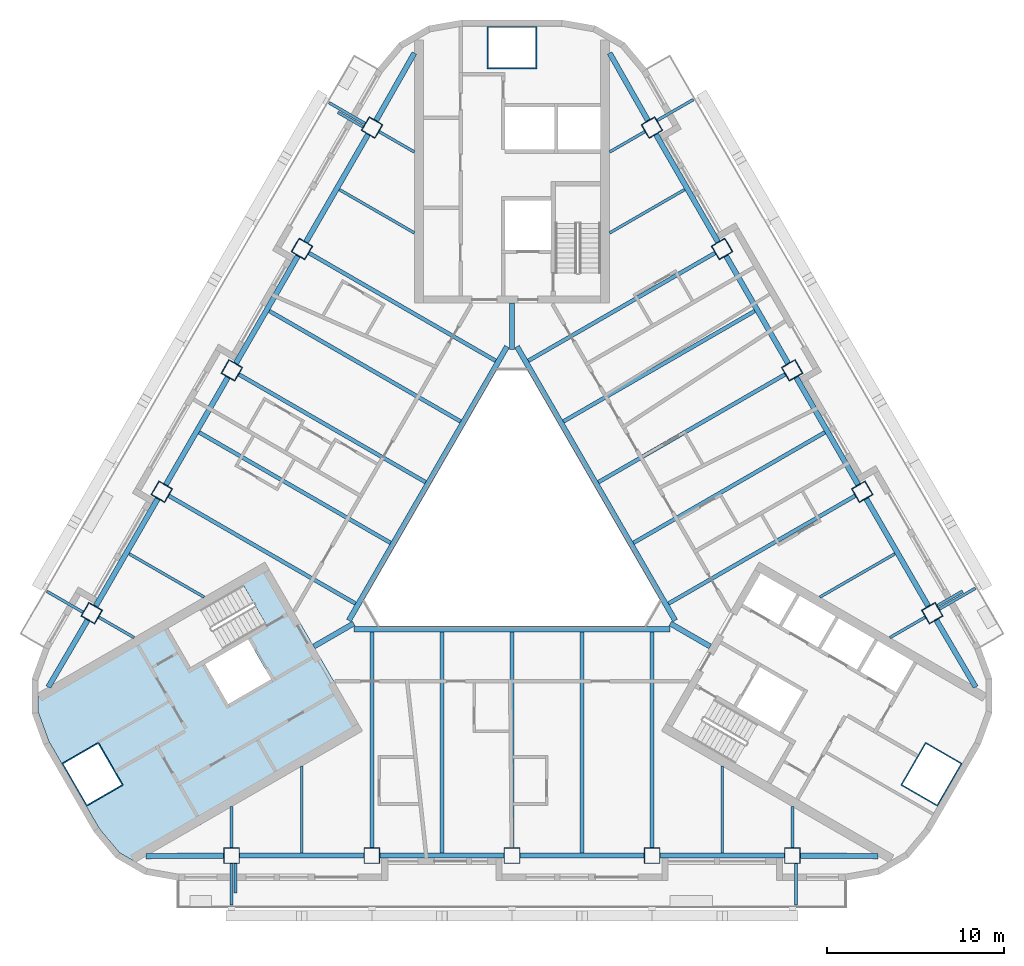
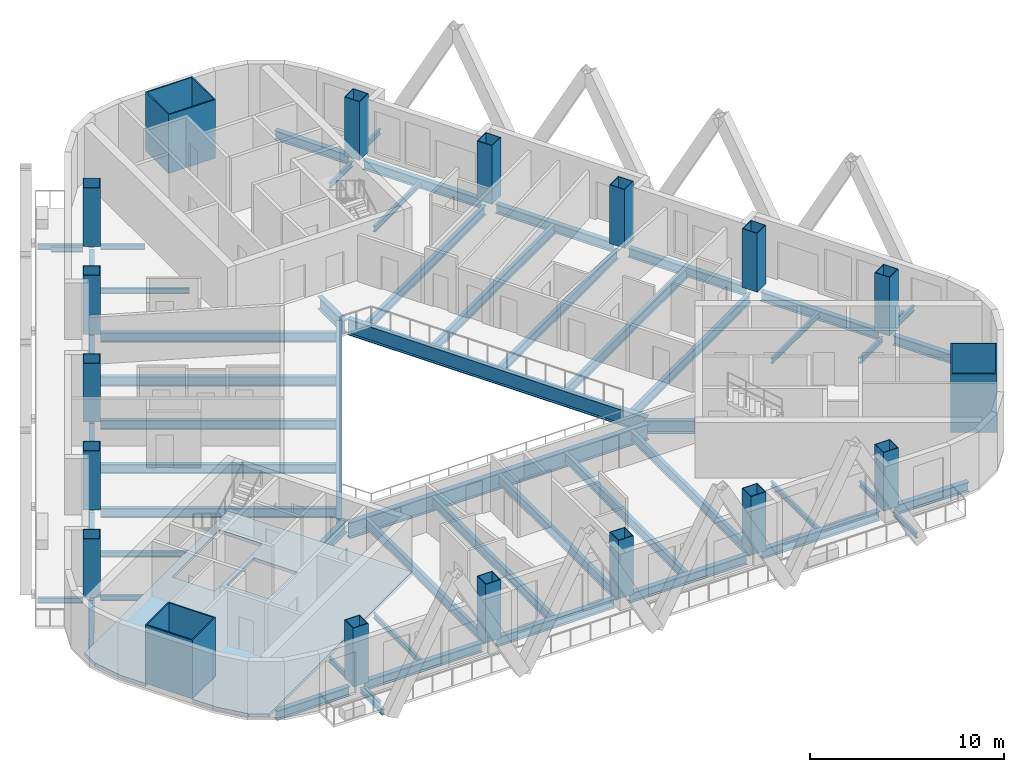
# One storey, part 1 of 14: 60 beams, 18 columns, 1 slab.
"""IFC4 building model written with IfcOpenShell, lengths in metres."""

from ifc_helpers import new_model, si_unit, direction, frame, origin, origin_2d, place, context, subcontext, project, spatial, polyline, rectangle, hollow_rectangle, i_section, outline, extrude, material, layer, layer_set, material_profile, profile_set, type_object, element, save


model = new_model("IFC4")

# Units and contexts
model_context = context("Model", 3, precision=1e-05, world=origin(), true_north=direction((0.0, 1.0)))
body_context = subcontext(model_context, "Body", "Model", "MODEL_VIEW")
ifc_project = project(units=[si_unit("LENGTHUNIT", "METRE"), si_unit("AREAUNIT", "SQUARE_METRE"), si_unit("VOLUMEUNIT", "CUBIC_METRE"), si_unit("PLANEANGLEUNIT", "RADIAN"), si_unit("MASSUNIT", "GRAM", prefix="KILO")], contexts=[model_context])

# Site, building, storey
site_placement = place(None, origin())
site = spatial("IfcSite", under=ifc_project, at=site_placement, CompositionType="ELEMENT")
building_placement = place(site_placement, origin())
building = spatial("IfcBuilding", under=site, at=building_placement, Name="Apuvela Tower Hotel", CompositionType="ELEMENT")
storey_placement = place(building_placement, frame((0.0, 0.0, 120.5)))
storey = spatial("IfcBuildingStorey", under=building, at=storey_placement, Name="L28", CompositionType="ELEMENT", Elevation=120.5)

# Columns
ifc_material_1 = material(Name="Steel S460", Category="steel")
ifc_material_profile_1 = material_profile(ifc_material_1, hollow_rectangle(XDim=2.800048828125, YDim=2.39990234375, WallThickness=0.070068359375, at=origin_2d()), Name="BOX 2800x2400x70")
ifc_material_2 = material(Name="Concrete C80/95", Category="concrete")
ifc_material_profile_2 = material_profile(ifc_material_2, rectangle(XDim=2.659912109375, YDim=2.260009765625, at=origin_2d()), Name="Concrete C80/95 infill")
ifc_profile_set_1 = profile_set([ifc_material_profile_1, ifc_material_profile_2], Name="Steel S460")
column_type_1 = type_object("IfcColumnType", Name="STR-MC mega column BOX 2800x2400x70", PredefinedType="COLUMN", material=ifc_profile_set_1)
for number, where, z_axis, x_axis, name in (
    (1, (0.0, 27.300048828125, 0.0), (0.0, 0.0, 1.0), (1.0, 0.0, 0.0), "Mega column MC2 N"),
    (2, (-23.642578125, -13.64990234375, 0.0), (0.0, 0.0, 1.0), (-0.5, 0.866025403784, 0.0), "Mega column MC2 SW"),
    (3, (23.642578125, -13.64990234375, 0.0), (0.0, 0.0, 1.0), (0.5, 0.866025403784, 0.0), "Mega column MC2 SE"),
):
    element("IfcColumn", number, at=place(storey_placement, frame(where, z_axis=z_axis, x_axis=x_axis)), inside=storey, type_object=column_type_1, Name=name, PredefinedType="COLUMN", context=body_context, shape_type="SweptSolid", body=[
        extrude(hollow_rectangle(XDim=2.800048828125, YDim=2.39990234375, WallThickness=0.070068359375, at=origin_2d()), origin(), (0.0, 0.0, 1.0), 3.699951171875),
    ])
ifc_material_profile_3 = material_profile(ifc_material_1, hollow_rectangle(XDim=0.89990234375, YDim=0.89990234375, WallThickness=0.0400390625, at=origin_2d()), Name="BOX 900x900x40")
ifc_material_profile_4 = material_profile(ifc_material_2, rectangle(XDim=0.820068359375, YDim=0.820068359375, at=origin_2d()), Name="Concrete C80/95 infill")
ifc_profile_set_2 = profile_set([ifc_material_profile_3, ifc_material_profile_4], Name="Steel S460")
column_type_2 = type_object("IfcColumnType", Name="STR-PC perimeter column BOX 900x900x40", PredefinedType="COLUMN", material=ifc_profile_set_2)
for number, where, z_axis, x_axis, name in (
    (4, (-15.800048828125, -18.22998046875, 0.0), (0.0, 0.0, 1.0), (-1.0, 0.0, 0.0), "Perimeter column C3 S1"),
    (5, (-7.89990234375, -18.22998046875, 0.0), (0.0, 0.0, 1.0), (-1.0, 0.0, 0.0), "Perimeter column C3 S2"),
    (6, (0.0, -18.22998046875, 0.0), (0.0, 0.0, 1.0), (-1.0, 0.0, 0.0), "Perimeter column C3 S3"),
    (7, (7.89990234375, -18.22998046875, 0.0), (0.0, 0.0, 1.0), (-1.0, 0.0, 0.0), "Perimeter column C3 S4"),
    (8, (15.800048828125, -18.22998046875, 0.0), (0.0, 0.0, 1.0), (-1.0, 0.0, 0.0), "Perimeter column C3 S5"),
    (9, (23.6875, -4.568115234375, 0.0), (0.0, 0.0, 1.0), (-0.5, 0.866025403784, 0.0), "Perimeter column C3 NE1"),
    (10, (19.737548828125, 2.2734375, 0.0), (0.0, 0.0, 1.0), (-0.5, 0.866025403784, 0.0), "Perimeter column C3 NE2"),
    (11, (15.78759765625, 9.114990234375, 0.0), (0.0, 0.0, 1.0), (-0.5, 0.866025403784, 0.0), "Perimeter column C3 NE3"),
    (12, (11.837646484375, 15.95654296875, 0.0), (0.0, 0.0, 1.0), (-0.5, 0.866025403784, 0.0), "Perimeter column C3 NE4"),
    (13, (7.8876953125, 22.798095703125, 0.0), (0.0, 0.0, 1.0), (-0.5, 0.866025403784, 0.0), "Perimeter column C3 NE5"),
    (14, (-7.8876953125, 22.798095703125, 0.0), (0.0, 0.0, 1.0), (0.5, 0.866025403784, 0.0), "Perimeter column C3 NW1"),
    (15, (-11.837646484375, 15.95654296875, 0.0), (0.0, 0.0, 1.0), (0.5, 0.866025403784, 0.0), "Perimeter column C3 NW2"),
    (16, (-15.78759765625, 9.114990234375, 0.0), (0.0, 0.0, 1.0), (0.5, 0.866025403784, 0.0), "Perimeter column C3 NW3"),
    (17, (-19.737548828125, 2.2734375, 0.0), (0.0, 0.0, 1.0), (0.5, 0.866025403784, 0.0), "Perimeter column C3 NW4"),
    (18, (-23.6875, -4.568115234375, 0.0), (0.0, 0.0, 1.0), (0.5, 0.866025403784, 0.0), "Perimeter column C3 NW5"),
):
    element("IfcColumn", number, at=place(storey_placement, frame(where, z_axis=z_axis, x_axis=x_axis)), inside=storey, type_object=column_type_2, Name=name, PredefinedType="COLUMN", context=body_context, shape_type="SweptSolid", body=[
        extrude(hollow_rectangle(XDim=0.89990234375, YDim=0.89990234375, WallThickness=0.0400390625, at=origin_2d()), origin(), (0.0, 0.0, 1.0), 3.699951171875),
    ])

# Beams
ifc_material_3 = material(Name="Steel S355", Category="steel")
ifc_material_profile_5 = material_profile(ifc_material_3, i_section(OverallWidth=0.159912109375, OverallDepth=0.330078125, WebThickness=0.007568359375, FlangeThickness=0.011474609375, at=origin_2d()), Name="IPE 330")
ifc_profile_set_3 = profile_set([ifc_material_profile_5], Name="Steel S355")
beam_type_1 = type_object("IfcBeamType", Name="ENV-BALCONY-BEAM-IPE330", PredefinedType="BEAM", material=ifc_profile_set_3)
beam_1_placement = place(storey_placement, frame((-15.800048828125, -18.679931640625, -0.31494140625), z_axis=(0.0, -1.0, 0.0), x_axis=(1.0, 0.0, 0.0)))
element("IfcBeam", 19, at=beam_1_placement, inside=storey, type_object=beam_type_1, Name="Balcony cantilever beam S1 L28", PredefinedType="BEAM", context=body_context, shape_type="SweptSolid", body=[
    extrude(i_section(OverallWidth=0.159912109375, OverallDepth=0.330078125, WebThickness=0.007568359375, FlangeThickness=0.011474609375, at=origin_2d()), origin(), (0.0, 0.0, 1.0), 2.35009765625),
])
beam_2_placement = place(storey_placement, frame((-15.580078125, -18.679931640625, -0.31494140625), z_axis=(0.0, -1.0, 0.0), x_axis=(1.0, 0.0, 0.0)))
element("IfcBeam", 20, at=beam_2_placement, inside=storey, type_object=beam_type_1, Name="Balcony cantilever beam S2 L28", PredefinedType="BEAM", context=body_context, shape_type="SweptSolid", body=[
    extrude(i_section(OverallWidth=0.159912109375, OverallDepth=0.330078125, WebThickness=0.007568359375, FlangeThickness=0.011474609375, at=origin_2d()), origin(), (0.0, 0.0, 1.0), 1.650146484375),
])
for number, where, z_axis, x_axis, name in (
    (21, (16.0, -18.679931640625, -0.31494140625), (0.0, -1.0, 0.0), (1.0, 0.0, 0.0), "Balcony cantilever beam S3 L28"),
    (22, (24.077392578125, -4.34326171875, -0.31494140625), (0.866016039709, 0.500016218704, 0.0), (-0.500016218704, 0.866016039709, 0.0), "Balcony cantilever beam NE1 L28"),
):
    element("IfcBeam", number, at=place(storey_placement, frame(where, z_axis=z_axis, x_axis=x_axis)), inside=storey, type_object=beam_type_1, Name=name, PredefinedType="BEAM", context=body_context, shape_type="SweptSolid", body=[
        extrude(i_section(OverallWidth=0.159912109375, OverallDepth=0.330078125, WebThickness=0.007568359375, FlangeThickness=0.011474609375, at=origin_2d()), origin(), (0.0, 0.0, 1.0), 2.35009765625),
    ])
beam_3_placement = place(storey_placement, frame((23.96728515625, -4.152587890625, -0.31494140625), z_axis=(0.866040211805, 0.499974350878, 0.0), x_axis=(-0.499974350878, 0.866040211805, 0.0)))
element("IfcBeam", 23, at=beam_3_placement, inside=storey, type_object=beam_type_1, Name="Balcony cantilever beam NE2 L28", PredefinedType="BEAM", context=body_context, shape_type="SweptSolid", body=[
    extrude(i_section(OverallWidth=0.159912109375, OverallDepth=0.330078125, WebThickness=0.007568359375, FlangeThickness=0.011474609375, at=origin_2d()), origin(), (0.0, 0.0, 1.0), 1.64990234375),
])
beam_4_placement = place(storey_placement, frame((8.177490234375, 23.1962890625, -0.31494140625), z_axis=(0.865990062348, 0.500061208168, 0.0), x_axis=(-0.500061208168, 0.865990062348, 0.0)))
element("IfcBeam", 24, at=beam_4_placement, inside=storey, type_object=beam_type_1, Name="Balcony cantilever beam NE3 L28", PredefinedType="BEAM", context=body_context, shape_type="SweptSolid", body=[
    extrude(i_section(OverallWidth=0.159912109375, OverallDepth=0.330078125, WebThickness=0.007568359375, FlangeThickness=0.011474609375, at=origin_2d()), origin(), (0.0, 0.0, 1.0), 2.349853515625),
])
beam_5_placement = place(storey_placement, frame((-8.27734375, 23.023193359375, -0.31494140625), z_axis=(-0.866016039709, 0.500016218704, 0.0), x_axis=(-0.500016218704, -0.866016039709, 0.0)))
element("IfcBeam", 25, at=beam_5_placement, inside=storey, type_object=beam_type_1, Name="Balcony cantilever beam NW1 L28", PredefinedType="BEAM", context=body_context, shape_type="SweptSolid", body=[
    extrude(i_section(OverallWidth=0.159912109375, OverallDepth=0.330078125, WebThickness=0.007568359375, FlangeThickness=0.011474609375, at=origin_2d()), origin(), (0.0, 0.0, 1.0), 2.35009765625),
])
beam_6_placement = place(storey_placement, frame((-8.387451171875, 22.832763671875, -0.31494140625), z_axis=(-0.866040211805, 0.499974350878, 0.0), x_axis=(-0.499974350878, -0.866040211805, 0.0)))
element("IfcBeam", 26, at=beam_6_placement, inside=storey, type_object=beam_type_1, Name="Balcony cantilever beam NW2 L28", PredefinedType="BEAM", context=body_context, shape_type="SweptSolid", body=[
    extrude(i_section(OverallWidth=0.159912109375, OverallDepth=0.330078125, WebThickness=0.007568359375, FlangeThickness=0.011474609375, at=origin_2d()), origin(), (0.0, 0.0, 1.0), 1.64990234375),
])
beam_7_placement = place(storey_placement, frame((-24.177490234375, -4.516357421875, -0.31494140625), z_axis=(-0.865990062348, 0.500061208168, 0.0), x_axis=(-0.500061208168, -0.865990062348, 0.0)))
element("IfcBeam", 27, at=beam_7_placement, inside=storey, type_object=beam_type_1, Name="Balcony cantilever beam NW3 L28", PredefinedType="BEAM", context=body_context, shape_type="SweptSolid", body=[
    extrude(i_section(OverallWidth=0.159912109375, OverallDepth=0.330078125, WebThickness=0.007568359375, FlangeThickness=0.011474609375, at=origin_2d()), origin(), (0.0, 0.0, 1.0), 2.349853515625),
])
ifc_material_profile_6 = material_profile(ifc_material_3, i_section(OverallWidth=0.159912109375, OverallDepth=0.330078125, WebThickness=0.007568359375, FlangeThickness=0.011474609375, at=origin_2d()), Name="IPE 330")
ifc_profile_set_4 = profile_set([ifc_material_profile_6], Name="Steel S355")
beam_type_2 = type_object("IfcBeamType", Name="STR-B floor beam IPE 330", PredefinedType="BEAM", material=ifc_profile_set_4)
beam_8_placement = place(storey_placement, frame((23.2978515625, -4.793212890625, -0.31494140625), z_axis=(-0.866000531106, -0.500043078269, 0.0), x_axis=(0.500043078269, -0.866000531106, 0.0)))
element("IfcBeam", 28, at=beam_8_placement, inside=storey, type_object=beam_type_2, Name="Floor beam B1 NE1", PredefinedType="BEAM", context=body_context, shape_type="SweptSolid", body=[
    extrude(i_section(OverallWidth=0.159912109375, OverallDepth=0.330078125, WebThickness=0.007568359375, FlangeThickness=0.011474609375, at=origin_2d()), origin(), (0.0, 0.0, 1.0), 2.306884765625),
])
for number, where, z_axis, x_axis, name in (
    (29, (21.582763671875, -1.222412109375, -0.31494140625), (-0.866015056278, -0.500017921979, 0.0), (0.500017921979, -0.866015056278, 0.0), "Floor beam B1 NE2"),
    (30, (9.732666015625, 19.302490234375, -0.31494140625), (-0.866015056278, -0.500017921979, 0.0), (0.500017921979, -0.866015056278, 0.0), "Floor beam B1 NE8"),
):
    element("IfcBeam", number, at=place(storey_placement, frame(where, z_axis=z_axis, x_axis=x_axis)), inside=storey, type_object=beam_type_2, Name=name, PredefinedType="BEAM", context=body_context, shape_type="SweptSolid", body=[
        extrude(i_section(OverallWidth=0.159912109375, OverallDepth=0.330078125, WebThickness=0.007568359375, FlangeThickness=0.011474609375, at=origin_2d()), origin(), (0.0, 0.0, 1.0), 4.887451171875),
    ])
for number, where, z_axis, x_axis, name in (
    (31, (7.497802734375, 22.5732421875, -0.31494140625), (-0.866000531106, -0.500043078269, 0.0), (0.500043078269, -0.866000531106, 0.0), "Floor beam B1 NE9"),
    (32, (-7.497802734375, 22.5732421875, -0.31494140625), (0.866000531106, -0.500043078269, 0.0), (0.500043078269, 0.866000531106, 0.0), "Floor beam B1 NW1"),
):
    element("IfcBeam", number, at=place(storey_placement, frame(where, z_axis=z_axis, x_axis=x_axis)), inside=storey, type_object=beam_type_2, Name=name, PredefinedType="BEAM", context=body_context, shape_type="SweptSolid", body=[
        extrude(i_section(OverallWidth=0.159912109375, OverallDepth=0.330078125, WebThickness=0.007568359375, FlangeThickness=0.011474609375, at=origin_2d()), origin(), (0.0, 0.0, 1.0), 2.306884765625),
    ])
for number, where, z_axis, x_axis, name in (
    (33, (-9.732666015625, 19.302490234375, -0.31494140625), (0.866015056278, -0.500017921979, 0.0), (0.500017921979, 0.866015056278, 0.0), "Floor beam B1 NW2"),
    (34, (-21.582763671875, -1.222412109375, -0.31494140625), (0.866015056278, -0.500017921979, 0.0), (0.500017921979, 0.866015056278, 0.0), "Floor beam B1 NW8"),
):
    element("IfcBeam", number, at=place(storey_placement, frame(where, z_axis=z_axis, x_axis=x_axis)), inside=storey, type_object=beam_type_2, Name=name, PredefinedType="BEAM", context=body_context, shape_type="SweptSolid", body=[
        extrude(i_section(OverallWidth=0.159912109375, OverallDepth=0.330078125, WebThickness=0.007568359375, FlangeThickness=0.011474609375, at=origin_2d()), origin(), (0.0, 0.0, 1.0), 4.887451171875),
    ])
beam_9_placement = place(storey_placement, frame((-23.2978515625, -4.793212890625, -0.31494140625), z_axis=(0.866000531106, -0.500043078269, 0.0), x_axis=(0.500043078269, 0.866000531106, 0.0)))
element("IfcBeam", 35, at=beam_9_placement, inside=storey, type_object=beam_type_2, Name="Floor beam B1 NW9", PredefinedType="BEAM", context=body_context, shape_type="SweptSolid", body=[
    extrude(i_section(OverallWidth=0.159912109375, OverallDepth=0.330078125, WebThickness=0.007568359375, FlangeThickness=0.011474609375, at=origin_2d()), origin(), (0.0, 0.0, 1.0), 2.306884765625),
])
beam_10_placement = place(storey_placement, frame((-15.800048828125, -17.780029296875, -0.31494140625), z_axis=(0.0, 1.0, 0.0), x_axis=(-1.0, 0.0, 0.0)))
element("IfcBeam", 36, at=beam_10_placement, inside=storey, type_object=beam_type_2, Name="Floor beam B1 S1", PredefinedType="BEAM", context=body_context, shape_type="SweptSolid", body=[
    extrude(i_section(OverallWidth=0.159912109375, OverallDepth=0.330078125, WebThickness=0.007568359375, FlangeThickness=0.011474609375, at=origin_2d()), origin(), (0.0, 0.0, 1.0), 2.30712890625),
])
for number, where, z_axis, x_axis, name in (
    (37, (-11.85009765625, -18.080078125, -0.31494140625), (0.0, 1.0, 0.0), (-1.0, 0.0, 0.0), "Floor beam B1 S2"),
    (38, (11.85009765625, -18.080078125, -0.31494140625), (0.0, 1.0, 0.0), (-1.0, 0.0, 0.0), "Floor beam B1 S8"),
):
    element("IfcBeam", number, at=place(storey_placement, frame(where, z_axis=z_axis, x_axis=x_axis)), inside=storey, type_object=beam_type_2, Name=name, PredefinedType="BEAM", context=body_context, shape_type="SweptSolid", body=[
        extrude(i_section(OverallWidth=0.159912109375, OverallDepth=0.330078125, WebThickness=0.007568359375, FlangeThickness=0.011474609375, at=origin_2d()), origin(), (0.0, 0.0, 1.0), 4.8876953125),
    ])
beam_11_placement = place(storey_placement, frame((15.800048828125, -17.780029296875, -0.31494140625), z_axis=(0.0, 1.0, 0.0), x_axis=(-1.0, 0.0, 0.0)))
element("IfcBeam", 39, at=beam_11_placement, inside=storey, type_object=beam_type_2, Name="Floor beam B1 S9", PredefinedType="BEAM", context=body_context, shape_type="SweptSolid", body=[
    extrude(i_section(OverallWidth=0.159912109375, OverallDepth=0.330078125, WebThickness=0.007568359375, FlangeThickness=0.011474609375, at=origin_2d()), origin(), (0.0, 0.0, 1.0), 2.30712890625),
])
ifc_material_profile_7 = material_profile(ifc_material_3, i_section(OverallWidth=0.219970703125, OverallDepth=0.60009765625, WebThickness=0.011962890625, FlangeThickness=0.01904296875, at=origin_2d()), Name="IPE 600")
ifc_profile_set_5 = profile_set([ifc_material_profile_7], Name="Steel S355")
beam_type_3 = type_object("IfcBeamType", Name="STR-B floor beam IPE 600", PredefinedType="BEAM", material=ifc_profile_set_5)
beam_12_placement = place(storey_placement, frame((19.347900390625, 2.04833984375, -0.449951171875), z_axis=(-0.866028751965, -0.499994200737, 0.0), x_axis=(0.499994200737, -0.866028751965, 0.0)))
element("IfcBeam", 40, at=beam_12_placement, inside=storey, type_object=beam_type_3, Name="Floor beam B8 NE3", PredefinedType="BEAM", context=body_context, shape_type="SweptSolid", body=[
    extrude(i_section(OverallWidth=0.219970703125, OverallDepth=0.60009765625, WebThickness=0.011962890625, FlangeThickness=0.01904296875, at=origin_2d()), origin(), (0.0, 0.0, 1.0), 12.157958984375),
])
beam_13_placement = place(storey_placement, frame((17.6328125, 5.619140625, -0.449951171875), z_axis=(-0.866027636335, -0.499996133089, 0.0), x_axis=(0.499996133089, -0.866027636335, 0.0)))
element("IfcBeam", 41, at=beam_13_placement, inside=storey, type_object=beam_type_3, Name="Floor beam B8 NE4", PredefinedType="BEAM", context=body_context, shape_type="SweptSolid", body=[
    extrude(i_section(OverallWidth=0.219970703125, OverallDepth=0.60009765625, WebThickness=0.011962890625, FlangeThickness=0.01904296875, at=origin_2d()), origin(), (0.0, 0.0, 1.0), 12.4580078125),
])
beam_14_placement = place(storey_placement, frame((15.39794921875, 8.889892578125, -0.449951171875), z_axis=(-0.866028751965, -0.499994200737, 0.0), x_axis=(0.499994200737, -0.866028751965, 0.0)))
element("IfcBeam", 42, at=beam_14_placement, inside=storey, type_object=beam_type_3, Name="Floor beam B8 NE5", PredefinedType="BEAM", context=body_context, shape_type="SweptSolid", body=[
    extrude(i_section(OverallWidth=0.219970703125, OverallDepth=0.60009765625, WebThickness=0.011962890625, FlangeThickness=0.01904296875, at=origin_2d()), origin(), (0.0, 0.0, 1.0), 12.157958984375),
])
beam_15_placement = place(storey_placement, frame((13.6826171875, 12.460693359375, -0.449951171875), z_axis=(-0.866022737053, -0.500004618886, 0.0), x_axis=(0.500004618886, -0.866022737053, 0.0)))
element("IfcBeam", 43, at=beam_15_placement, inside=storey, type_object=beam_type_3, Name="Floor beam B8 NE6", PredefinedType="BEAM", context=body_context, shape_type="SweptSolid", body=[
    extrude(i_section(OverallWidth=0.219970703125, OverallDepth=0.60009765625, WebThickness=0.011962890625, FlangeThickness=0.01904296875, at=origin_2d()), origin(), (0.0, 0.0, 1.0), 12.4580078125),
])
for number, where, z_axis, x_axis, name in (
    (44, (11.447998046875, 15.731689453125, -0.449951171875), (-0.866025076934, -0.500000566121, 0.0), (0.500000566121, -0.866025076934, 0.0), "Floor beam B8 NE7"),
    (45, (-11.447998046875, 15.731689453125, -0.449951171875), (0.866025076934, -0.500000566121, 0.0), (0.500000566121, 0.866025076934, 0.0), "Floor beam B8 NW3"),
):
    element("IfcBeam", number, at=place(storey_placement, frame(where, z_axis=z_axis, x_axis=x_axis)), inside=storey, type_object=beam_type_3, Name=name, PredefinedType="BEAM", context=body_context, shape_type="SweptSolid", body=[
        extrude(i_section(OverallWidth=0.219970703125, OverallDepth=0.60009765625, WebThickness=0.011962890625, FlangeThickness=0.01904296875, at=origin_2d()), origin(), (0.0, 0.0, 1.0), 12.158203125),
    ])
beam_16_placement = place(storey_placement, frame((-13.6826171875, 12.460693359375, -0.449951171875), z_axis=(0.866022737053, -0.500004618886, 0.0), x_axis=(0.500004618886, 0.866022737053, 0.0)))
element("IfcBeam", 46, at=beam_16_placement, inside=storey, type_object=beam_type_3, Name="Floor beam B8 NW4", PredefinedType="BEAM", context=body_context, shape_type="SweptSolid", body=[
    extrude(i_section(OverallWidth=0.219970703125, OverallDepth=0.60009765625, WebThickness=0.011962890625, FlangeThickness=0.01904296875, at=origin_2d()), origin(), (0.0, 0.0, 1.0), 12.4580078125),
])
beam_17_placement = place(storey_placement, frame((-15.39794921875, 8.889892578125, -0.449951171875), z_axis=(0.866028751965, -0.499994200737, 0.0), x_axis=(0.499994200737, 0.866028751965, 0.0)))
element("IfcBeam", 47, at=beam_17_placement, inside=storey, type_object=beam_type_3, Name="Floor beam B8 NW5", PredefinedType="BEAM", context=body_context, shape_type="SweptSolid", body=[
    extrude(i_section(OverallWidth=0.219970703125, OverallDepth=0.60009765625, WebThickness=0.011962890625, FlangeThickness=0.01904296875, at=origin_2d()), origin(), (0.0, 0.0, 1.0), 12.157958984375),
])
beam_18_placement = place(storey_placement, frame((-17.6328125, 5.619140625, -0.449951171875), z_axis=(0.866027636335, -0.499996133089, 0.0), x_axis=(0.499996133089, 0.866027636335, 0.0)))
element("IfcBeam", 48, at=beam_18_placement, inside=storey, type_object=beam_type_3, Name="Floor beam B8 NW6", PredefinedType="BEAM", context=body_context, shape_type="SweptSolid", body=[
    extrude(i_section(OverallWidth=0.219970703125, OverallDepth=0.60009765625, WebThickness=0.011962890625, FlangeThickness=0.01904296875, at=origin_2d()), origin(), (0.0, 0.0, 1.0), 12.4580078125),
])
for number, where, z_axis, x_axis, name in (
    (49, (-19.347900390625, 2.04833984375, -0.449951171875), (0.866028751965, -0.499994200737, 0.0), (0.499994200737, 0.866028751965, 0.0), "Floor beam B8 NW7"),
    (50, (-7.89990234375, -17.780029296875, -0.449951171875), (0.0, 1.0, 0.0), (-1.0, 0.0, 0.0), "Floor beam B8 S3"),
):
    element("IfcBeam", number, at=place(storey_placement, frame(where, z_axis=z_axis, x_axis=x_axis)), inside=storey, type_object=beam_type_3, Name=name, PredefinedType="BEAM", context=body_context, shape_type="SweptSolid", body=[
        extrude(i_section(OverallWidth=0.219970703125, OverallDepth=0.60009765625, WebThickness=0.011962890625, FlangeThickness=0.01904296875, at=origin_2d()), origin(), (0.0, 0.0, 1.0), 12.157958984375),
    ])
beam_19_placement = place(storey_placement, frame((-3.949951171875, -18.080078125, -0.449951171875), z_axis=(0.0, 1.0, 0.0), x_axis=(-1.0, 0.0, 0.0)))
element("IfcBeam", 51, at=beam_19_placement, inside=storey, type_object=beam_type_3, Name="Floor beam B8 S4", PredefinedType="BEAM", context=body_context, shape_type="SweptSolid", body=[
    extrude(i_section(OverallWidth=0.219970703125, OverallDepth=0.60009765625, WebThickness=0.011962890625, FlangeThickness=0.01904296875, at=origin_2d()), origin(), (0.0, 0.0, 1.0), 12.4580078125),
])
beam_20_placement = place(storey_placement, frame((0.0, -17.780029296875, -0.449951171875), z_axis=(0.0, 1.0, 0.0), x_axis=(-1.0, 0.0, 0.0)))
element("IfcBeam", 52, at=beam_20_placement, inside=storey, type_object=beam_type_3, Name="Floor beam B8 S5", PredefinedType="BEAM", context=body_context, shape_type="SweptSolid", body=[
    extrude(i_section(OverallWidth=0.219970703125, OverallDepth=0.60009765625, WebThickness=0.011962890625, FlangeThickness=0.01904296875, at=origin_2d()), origin(), (0.0, 0.0, 1.0), 12.157958984375),
])
beam_21_placement = place(storey_placement, frame((3.949951171875, -18.080078125, -0.449951171875), z_axis=(0.0, 1.0, 0.0), x_axis=(-1.0, 0.0, 0.0)))
element("IfcBeam", 53, at=beam_21_placement, inside=storey, type_object=beam_type_3, Name="Floor beam B8 S6", PredefinedType="BEAM", context=body_context, shape_type="SweptSolid", body=[
    extrude(i_section(OverallWidth=0.219970703125, OverallDepth=0.60009765625, WebThickness=0.011962890625, FlangeThickness=0.01904296875, at=origin_2d()), origin(), (0.0, 0.0, 1.0), 12.4580078125),
])
beam_22_placement = place(storey_placement, frame((7.89990234375, -17.780029296875, -0.449951171875), z_axis=(0.0, 1.0, 0.0), x_axis=(-1.0, 0.0, 0.0)))
element("IfcBeam", 54, at=beam_22_placement, inside=storey, type_object=beam_type_3, Name="Floor beam B8 S7", PredefinedType="BEAM", context=body_context, shape_type="SweptSolid", body=[
    extrude(i_section(OverallWidth=0.219970703125, OverallDepth=0.60009765625, WebThickness=0.011962890625, FlangeThickness=0.01904296875, at=origin_2d()), origin(), (0.0, 0.0, 1.0), 12.157958984375),
])
ifc_material_profile_8 = material_profile(ifc_material_3, i_section(OverallWidth=0.302001953125, OverallDepth=1.008056640625, WebThickness=0.02099609375, FlangeThickness=0.0400390625, at=origin_2d()), Name="HE 1000 M")
ifc_profile_set_6 = profile_set([ifc_material_profile_8], Name="Steel S355")
beam_type_4 = type_object("IfcBeamType", Name="STR-G atrium ring girder HE 1000 M", PredefinedType="BEAM", material=ifc_profile_set_6)
for number, where, z_axis, x_axis, name in (
    (55, (-0.28076171875, 10.455810546875, -0.654052734375), (-0.500000611842, -0.866025050537, 0.0), (0.866025050537, -0.500000611842, 0.0), "Atrium ring girder G1 N-SW"),
    (56, (-8.91455078125, -5.470947265625, -0.654052734375), (1.0, 0.0, 0.0), (0.0, 1.0, 0.0), "Atrium ring girder G1 SW-SE"),
    (57, (9.1953125, -4.984619140625, -0.654052734375), (-0.500000611842, 0.866025050537, 0.0), (-0.866025050537, -0.500000611842, 0.0), "Atrium ring girder G1 SE-N"),
):
    element("IfcBeam", number, at=place(storey_placement, frame(where, z_axis=z_axis, x_axis=x_axis)), inside=storey, type_object=beam_type_4, Name=name, PredefinedType="BEAM", context=body_context, shape_type="SweptSolid", body=[
        extrude(i_section(OverallWidth=0.302001953125, OverallDepth=1.008056640625, WebThickness=0.02099609375, FlangeThickness=0.0400390625, at=origin_2d()), origin(), (0.0, 0.0, 1.0), 17.8291015625),
    ])
ifc_material_profile_9 = material_profile(ifc_material_3, i_section(OverallWidth=0.300048828125, OverallDepth=0.800048828125, WebThickness=0.017578125, FlangeThickness=0.032958984375, at=origin_2d()), Name="HE 800 B")
ifc_profile_set_7 = profile_set([ifc_material_profile_9], Name="Steel S355")
beam_type_5 = type_object("IfcBeamType", Name="STR-GT core tie beam HE 800 B", PredefinedType="BEAM", material=ifc_profile_set_7)
for number, where, z_axis, x_axis, name in (
    (58, (0.0, 12.89990234375, -0.550048828125), (0.0, -1.0, 0.0), (1.0, 0.0, 0.0), "Core tie beam GT1 N"),
    (59, (-11.171630859375, -6.449951171875, -0.550048828125), (0.865997922154, 0.500047596559, 0.0), (-0.500047596559, 0.865997922154, 0.0), "Core tie beam GT1 SW"),
    (60, (11.171630859375, -6.449951171875, -0.550048828125), (-0.865997922154, 0.500047596559, 0.0), (-0.500047596559, -0.865997922154, 0.0), "Core tie beam GT1 SE"),
):
    element("IfcBeam", number, at=place(storey_placement, frame(where, z_axis=z_axis, x_axis=x_axis)), inside=storey, type_object=beam_type_5, Name=name, PredefinedType="BEAM", context=body_context, shape_type="SweptSolid", body=[
        extrude(i_section(OverallWidth=0.300048828125, OverallDepth=0.800048828125, WebThickness=0.017578125, FlangeThickness=0.032958984375, at=origin_2d()), origin(), (0.0, 0.0, 1.0), 2.599853515625),
    ])
ifc_material_profile_10 = material_profile(ifc_material_3, i_section(OverallWidth=0.300048828125, OverallDepth=0.590087890625, WebThickness=0.012939453125, FlangeThickness=0.02490234375, at=origin_2d()), Name="HE 600 A")
ifc_profile_set_8 = profile_set([ifc_material_profile_10], Name="Steel S355")
beam_type_6 = type_object("IfcBeamType", Name="STR-SB spandrel beam HE 600 A", PredefinedType="SPANDREL", material=ifc_profile_set_8)
for number, where, z_axis, x_axis, name in (
    (61, (-15.35009765625, -18.22998046875, -0.445068359375), (1.0, 0.0, 0.0), (0.0, 1.0, 0.0), "Spandrel beam SB2 S1"),
    (62, (-7.449951171875, -18.22998046875, -0.445068359375), (1.0, 0.0, 0.0), (0.0, 1.0, 0.0), "Spandrel beam SB2 S2"),
    (63, (0.449951171875, -18.22998046875, -0.445068359375), (1.0, 0.0, 0.0), (0.0, 1.0, 0.0), "Spandrel beam SB2 S3"),
    (64, (8.35009765625, -18.22998046875, -0.445068359375), (1.0, 0.0, 0.0), (0.0, 1.0, 0.0), "Spandrel beam SB2 S4"),
    (65, (23.462646484375, -4.178466796875, -0.445068359375), (-0.499995173006, 0.866028190633, 0.0), (-0.866028190633, -0.499995173006, 0.0), "Spandrel beam SB2 NE1"),
    (66, (19.5126953125, 2.6630859375, -0.445068359375), (-0.499995173006, 0.866028190633, 0.0), (-0.866028190633, -0.499995173006, 0.0), "Spandrel beam SB2 NE2"),
    (67, (15.5625, 9.504638671875, -0.445068359375), (-0.499995173006, 0.866028190633, 0.0), (-0.866028190633, -0.499995173006, 0.0), "Spandrel beam SB2 NE3"),
    (68, (11.612548828125, 16.34619140625, -0.445068359375), (-0.499995173006, 0.866028190633, 0.0), (-0.866028190633, -0.499995173006, 0.0), "Spandrel beam SB2 NE4"),
    (69, (-8.112548828125, 22.408447265625, -0.445068359375), (-0.499995173006, -0.866028190633, 0.0), (0.866028190633, -0.499995173006, 0.0), "Spandrel beam SB2 NW1"),
    (70, (-12.0625, 15.56689453125, -0.445068359375), (-0.499995173006, -0.866028190633, 0.0), (0.866028190633, -0.499995173006, 0.0), "Spandrel beam SB2 NW2"),
    (71, (-16.0126953125, 8.725341796875, -0.445068359375), (-0.499995173006, -0.866028190633, 0.0), (0.866028190633, -0.499995173006, 0.0), "Spandrel beam SB2 NW3"),
    (72, (-19.962646484375, 1.8837890625, -0.445068359375), (-0.499995173006, -0.866028190633, 0.0), (0.866028190633, -0.499995173006, 0.0), "Spandrel beam SB2 NW4"),
):
    element("IfcBeam", number, at=place(storey_placement, frame(where, z_axis=z_axis, x_axis=x_axis)), inside=storey, type_object=beam_type_6, Name=name, PredefinedType="SPANDREL", context=body_context, shape_type="SweptSolid", body=[
        extrude(i_section(OverallWidth=0.300048828125, OverallDepth=0.590087890625, WebThickness=0.012939453125, FlangeThickness=0.02490234375, at=origin_2d()), origin(), (0.0, 0.0, 1.0), 7.0),
    ])
for number, where, z_axis, x_axis, name in (
    (73, (-16.25, -18.233154296875, -0.445068359375), (-0.999976528586, -0.006851443461, 0.0), (0.006851443461, -0.999976528586, 0.0), "Spandrel beam SB2 S1-SW"),
    (74, (16.25, -18.233154296875, -0.445068359375), (0.999976528586, -0.006851443461, 0.0), (0.006851443461, 0.999976528586, 0.0), "Spandrel beam SB2 S5-SE"),
    (75, (23.915283203125, -4.956298828125, -0.445068359375), (0.505951068275, -0.862562181244, 0.0), (0.862562181244, 0.505951068275, 0.0), "Spandrel beam SB2 NE1-SE"),
    (76, (7.665283203125, 23.189453125, -0.445068359375), (-0.494043860968, 0.869436980718, 0.0), (-0.869436980718, -0.494043860968, 0.0), "Spandrel beam SB2 NE5-N"),
    (77, (-7.665283203125, 23.189453125, -0.445068359375), (0.494043860968, 0.869436980718, 0.0), (-0.869436980718, 0.494043860968, 0.0), "Spandrel beam SB2 NW1-N"),
    (78, (-23.915283203125, -4.956298828125, -0.445068359375), (-0.505951068275, -0.862562181244, 0.0), (0.862562181244, -0.505951068275, 0.0), "Spandrel beam SB2 NW5-SW"),
):
    element("IfcBeam", number, at=place(storey_placement, frame(where, z_axis=z_axis, x_axis=x_axis)), inside=storey, type_object=beam_type_6, Name=name, PredefinedType="SPANDREL", context=body_context, shape_type="SweptSolid", body=[
        extrude(i_section(OverallWidth=0.300048828125, OverallDepth=0.590087890625, WebThickness=0.012939453125, FlangeThickness=0.02490234375, at=origin_2d()), origin(), (0.0, 0.0, 1.0), 4.3828125),
    ])

# Slab
ifc_material_4 = material(Name="Concrete C50/60", Category="concrete")
ifc_layer = layer(ifc_material_4, 0.199951171875)
ifc_layer_set = layer_set([ifc_layer], Name="COR-FLOOR-200")
slab_type = type_object("IfcSlabType", Name="COR-FLOOR-200", PredefinedType="FLOOR", material=ifc_layer_set)
slab_placement = place(storey_placement, frame((0.0, 0.0, -0.199951171875)))
element("IfcSlab", 79, at=slab_placement, inside=storey, type_object=slab_type, Name="Core floor SW", PredefinedType="FLOOR", context=body_context, shape_type="SweptSolid", body=[
    extrude(outline(polyline([(-26.711181640625, -9.07080078125), (-26.711181640625, -10.123291015625), (-26.109375, -11.77734375), (-25.381591796875, -13.03759765625), (-23.30322265625, -11.837646484375), (-21.9033203125, -14.262451171875), (-23.981689453125, -15.46240234375), (-23.254150390625, -16.72265625), (-22.122802734375, -18.071044921875), (-21.211181640625, -18.59716796875), (-8.421630859375, -11.213134765625), (-13.921630859375, -1.68701171875), (-26.711181640625, -9.07080078125)]), holes=[polyline([(-13.874267578125, -5.18115234375), (-18.112548828125, -7.628173828125), (-19.387451171875, -5.419921875), (-15.149169921875, -2.972900390625), (-13.874267578125, -5.18115234375)]), polyline([(-13.56982421875, -8.29638671875), (-15.99462890625, -9.6962890625), (-17.294677734375, -7.444580078125), (-14.869873046875, -6.044677734375), (-13.56982421875, -8.29638671875)])]), origin(), (0.0, 0.0, 1.0), 0.199951171875),
])

save(model, "model.ifc")
